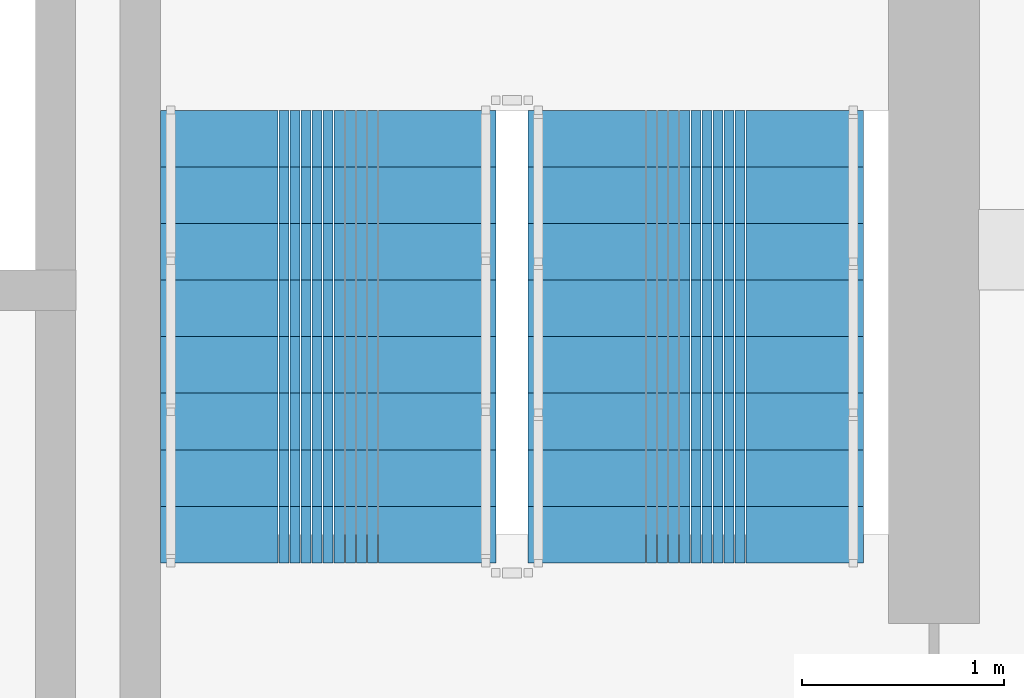
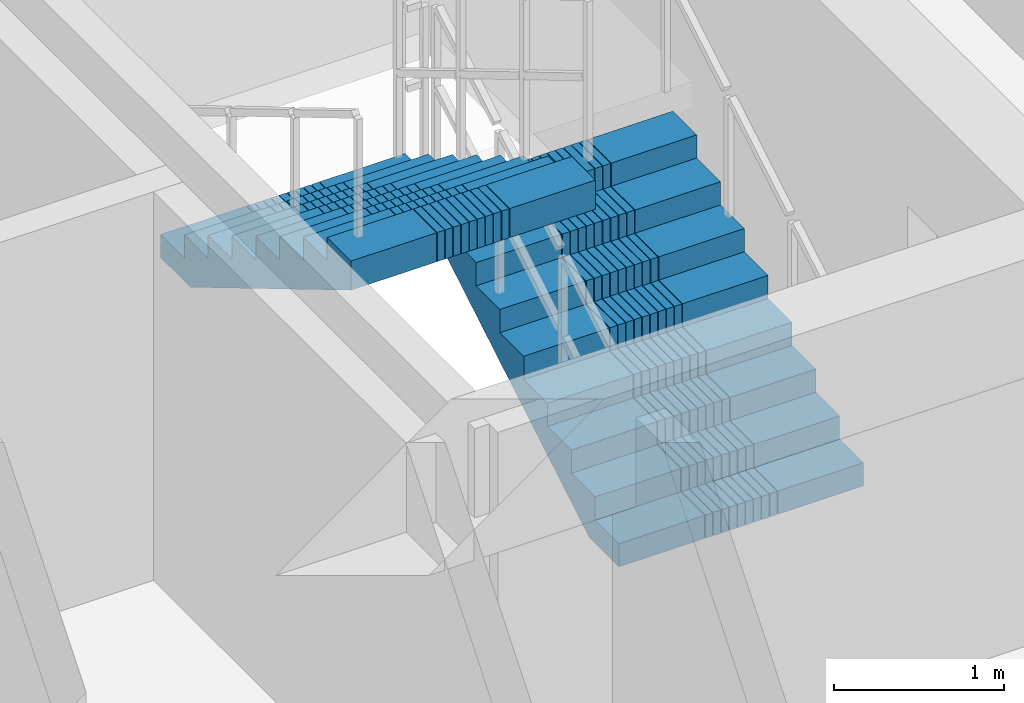
# One storey, part 8 of 13: 2 stair flights, 1 element without a shape of its own.
"""IFC4 building model written with IfcOpenShell, lengths in metres."""

from ifc_helpers import new_model, si_unit, direction, frame, origin, place, context, subcontext, project, spatial, polyline, outline, extrude, material, type_object, element, aggregate, save


model = new_model("IFC4")

# Units and contexts
model_context = context("Model", 3, precision=1e-05, world=origin(), true_north=direction((0.0, 1.0)))
body_context = subcontext(model_context, "Body", "Model", "MODEL_VIEW")
ifc_project = project(units=[si_unit("LENGTHUNIT", "METRE"), si_unit("AREAUNIT", "SQUARE_METRE"), si_unit("VOLUMEUNIT", "CUBIC_METRE"), si_unit("PLANEANGLEUNIT", "RADIAN"), si_unit("MASSUNIT", "GRAM", prefix="KILO")], contexts=[model_context])

# Site, building, storey
site_placement = place(None, origin())
site = spatial("IfcSite", under=ifc_project, at=site_placement, CompositionType="ELEMENT")
building_placement = place(site_placement, origin())
building = spatial("IfcBuilding", under=site, at=building_placement, Name="Saelheon Loggia Tower", CompositionType="ELEMENT")
storey_placement = place(building_placement, frame((0.0, 0.0, 220.199951171875)))
storey = spatial("IfcBuildingStorey", under=building, at=storey_placement, Name="L68", CompositionType="ELEMENT", Elevation=220.199951171875)

# Stair, stair flights
ifc_material = material(Name="Concrete C40/50", Category="concrete")
stair_type = type_object("IfcStairType", Name="Stair_Escape_Core", PredefinedType="HALF_TURN_STAIR", material=ifc_material)
stair_placement = place(storey_placement, origin())
stair = element("IfcStair", 1, at=stair_placement, inside=storey, type_object=stair_type, Name="L68 Special Escape Stair ST2", PredefinedType="HALF_TURN_STAIR")
stair_flight_type = type_object("IfcStairFlightType", Name="StairFlight_Tower_1660", PredefinedType="STRAIGHT", material=ifc_material)
stair_flight_1_placement = place(storey_placement, frame((43.320068359375, 30.449951171875, 0.0), z_axis=(0.0, 0.0, 1.0), x_axis=(0.0, 1.0, 0.0)))
stair_flight_1 = element("IfcStairFlight", 2, at=stair_flight_1_placement, type_object=stair_flight_type, Name="ST2 flight 1", NumberOfRisers=9, NumberOfTreads=8, PredefinedType="STRAIGHT", RiserHeight=0.166666667, TreadLength=0.28, context=body_context, shape_type="SweptSolid", body=[
    extrude(outline(polyline([(0.0, 0.0), (0.0, 0.166748046875), (0.280029296875, 0.166748046875), (0.280029296875, 0.333251953125), (0.56005859375, 0.333251953125), (0.56005859375, 0.5), (0.840087890625, 0.5), (0.840087890625, 0.666748046875), (1.1201171875, 0.666748046875), (1.1201171875, 0.833251953125), (1.39990234375, 0.833251953125), (1.39990234375, 1.0), (1.679931640625, 1.0), (1.679931640625, 1.166748046875), (1.9599609375, 1.166748046875), (1.9599609375, 1.333251953125), (2.239990234375, 1.333251953125), (2.239990234375, 1.5), (2.239990234375, 1.1240234375), (0.351806640625, 0.0), (0.0, 0.0)])), frame((0.0, -0.2490234375, 0.0), z_axis=(0.0, -1.0, 0.0), x_axis=(1.0, 0.0, 0.0)), (0.0, 0.0, 1.0), 0.5810546875),
    extrude(outline(polyline([(0.0, 0.0), (0.0, 0.166748046875), (0.280029296875, 0.166748046875), (0.280029296875, 0.333251953125), (0.56005859375, 0.333251953125), (0.56005859375, 0.5), (0.840087890625, 0.5), (0.840087890625, 0.666748046875), (1.1201171875, 0.666748046875), (1.1201171875, 0.833251953125), (1.39990234375, 0.833251953125), (1.39990234375, 1.0), (1.679931640625, 1.0), (1.679931640625, 1.166748046875), (1.9599609375, 1.166748046875), (1.9599609375, 1.333251953125), (2.239990234375, 1.333251953125), (2.239990234375, 1.5), (2.239990234375, 1.1240234375), (0.351806640625, 0.0), (0.0, 0.0)])), frame((0.0, -0.194091796875, 0.0), z_axis=(0.0, -1.0, 0.0), x_axis=(1.0, 0.0, 0.0)), (0.0, 0.0, 1.0), 0.0498046875),
    extrude(outline(polyline([(0.0, 0.0), (0.0, 0.166748046875), (0.280029296875, 0.166748046875), (0.280029296875, 0.333251953125), (0.56005859375, 0.333251953125), (0.56005859375, 0.5), (0.840087890625, 0.5), (0.840087890625, 0.666748046875), (1.1201171875, 0.666748046875), (1.1201171875, 0.833251953125), (1.39990234375, 0.833251953125), (1.39990234375, 1.0), (1.679931640625, 1.0), (1.679931640625, 1.166748046875), (1.9599609375, 1.166748046875), (1.9599609375, 1.333251953125), (2.239990234375, 1.333251953125), (2.239990234375, 1.5), (2.239990234375, 1.1240234375), (0.351806640625, 0.0), (0.0, 0.0)])), frame((0.0, -0.139404296875, 0.0), z_axis=(0.0, -1.0, 0.0), x_axis=(1.0, 0.0, 0.0)), (0.0, 0.0, 1.0), 0.0498046875),
    extrude(outline(polyline([(0.0, 0.0), (0.0, 0.166748046875), (0.280029296875, 0.166748046875), (0.280029296875, 0.333251953125), (0.56005859375, 0.333251953125), (0.56005859375, 0.5), (0.840087890625, 0.5), (0.840087890625, 0.666748046875), (1.1201171875, 0.666748046875), (1.1201171875, 0.833251953125), (1.39990234375, 0.833251953125), (1.39990234375, 1.0), (1.679931640625, 1.0), (1.679931640625, 1.166748046875), (1.9599609375, 1.166748046875), (1.9599609375, 1.333251953125), (2.239990234375, 1.333251953125), (2.239990234375, 1.5), (2.239990234375, 1.1240234375), (0.351806640625, 0.0), (0.0, 0.0)])), frame((0.0, -0.084716796875, 0.0), z_axis=(0.0, -1.0, 0.0), x_axis=(1.0, 0.0, 0.0)), (0.0, 0.0, 1.0), 0.0498046875),
    extrude(outline(polyline([(0.0, 0.0), (0.0, 0.166748046875), (0.280029296875, 0.166748046875), (0.280029296875, 0.333251953125), (0.56005859375, 0.333251953125), (0.56005859375, 0.5), (0.840087890625, 0.5), (0.840087890625, 0.666748046875), (1.1201171875, 0.666748046875), (1.1201171875, 0.833251953125), (1.39990234375, 0.833251953125), (1.39990234375, 1.0), (1.679931640625, 1.0), (1.679931640625, 1.166748046875), (1.9599609375, 1.166748046875), (1.9599609375, 1.333251953125), (2.239990234375, 1.333251953125), (2.239990234375, 1.5), (2.239990234375, 1.1240234375), (0.351806640625, 0.0), (0.0, 0.0)])), frame((0.0, -0.02978515625, 0.0), z_axis=(0.0, -1.0, 0.0), x_axis=(1.0, 0.0, 0.0)), (0.0, 0.0, 1.0), 0.0498046875),
    extrude(outline(polyline([(0.0, 0.0), (0.0, 0.166748046875), (0.280029296875, 0.166748046875), (0.280029296875, 0.333251953125), (0.56005859375, 0.333251953125), (0.56005859375, 0.5), (0.840087890625, 0.5), (0.840087890625, 0.666748046875), (1.1201171875, 0.666748046875), (1.1201171875, 0.833251953125), (1.39990234375, 0.833251953125), (1.39990234375, 1.0), (1.679931640625, 1.0), (1.679931640625, 1.166748046875), (1.9599609375, 1.166748046875), (1.9599609375, 1.333251953125), (2.239990234375, 1.333251953125), (2.239990234375, 1.5), (2.239990234375, 1.1240234375), (0.351806640625, 0.0), (0.0, 0.0)])), frame((0.0, 0.02490234375, 0.0), z_axis=(0.0, -1.0, 0.0), x_axis=(1.0, 0.0, 0.0)), (0.0, 0.0, 1.0), 0.0498046875),
    extrude(outline(polyline([(0.0, 0.0), (0.0, 0.166748046875), (0.280029296875, 0.166748046875), (0.280029296875, 0.333251953125), (0.56005859375, 0.333251953125), (0.56005859375, 0.5), (0.840087890625, 0.5), (0.840087890625, 0.666748046875), (1.1201171875, 0.666748046875), (1.1201171875, 0.833251953125), (1.39990234375, 0.833251953125), (1.39990234375, 1.0), (1.679931640625, 1.0), (1.679931640625, 1.166748046875), (1.9599609375, 1.166748046875), (1.9599609375, 1.333251953125), (2.239990234375, 1.333251953125), (2.239990234375, 1.5), (2.239990234375, 1.1240234375), (0.351806640625, 0.0), (0.0, 0.0)])), frame((0.0, 0.07958984375, 0.0), z_axis=(0.0, -1.0, 0.0), x_axis=(1.0, 0.0, 0.0)), (0.0, 0.0, 1.0), 0.0498046875),
    extrude(outline(polyline([(0.0, 0.0), (0.0, 0.166748046875), (0.280029296875, 0.166748046875), (0.280029296875, 0.333251953125), (0.56005859375, 0.333251953125), (0.56005859375, 0.5), (0.840087890625, 0.5), (0.840087890625, 0.666748046875), (1.1201171875, 0.666748046875), (1.1201171875, 0.833251953125), (1.39990234375, 0.833251953125), (1.39990234375, 1.0), (1.679931640625, 1.0), (1.679931640625, 1.166748046875), (1.9599609375, 1.166748046875), (1.9599609375, 1.333251953125), (2.239990234375, 1.333251953125), (2.239990234375, 1.5), (2.239990234375, 1.1240234375), (0.351806640625, 0.0), (0.0, 0.0)])), frame((0.0, 0.134521484375, 0.0), z_axis=(0.0, -1.0, 0.0), x_axis=(1.0, 0.0, 0.0)), (0.0, 0.0, 1.0), 0.0498046875),
    extrude(outline(polyline([(0.0, 0.0), (0.0, 0.166748046875), (0.280029296875, 0.166748046875), (0.280029296875, 0.333251953125), (0.56005859375, 0.333251953125), (0.56005859375, 0.5), (0.840087890625, 0.5), (0.840087890625, 0.666748046875), (1.1201171875, 0.666748046875), (1.1201171875, 0.833251953125), (1.39990234375, 0.833251953125), (1.39990234375, 1.0), (1.679931640625, 1.0), (1.679931640625, 1.166748046875), (1.9599609375, 1.166748046875), (1.9599609375, 1.333251953125), (2.239990234375, 1.333251953125), (2.239990234375, 1.5), (2.239990234375, 1.1240234375), (0.351806640625, 0.0), (0.0, 0.0)])), frame((0.0, 0.189208984375, 0.0), z_axis=(0.0, -1.0, 0.0), x_axis=(1.0, 0.0, 0.0)), (0.0, 0.0, 1.0), 0.0498046875),
    extrude(outline(polyline([(0.0, 0.0), (0.0, 0.166748046875), (0.280029296875, 0.166748046875), (0.280029296875, 0.333251953125), (0.56005859375, 0.333251953125), (0.56005859375, 0.5), (0.840087890625, 0.5), (0.840087890625, 0.666748046875), (1.1201171875, 0.666748046875), (1.1201171875, 0.833251953125), (1.39990234375, 0.833251953125), (1.39990234375, 1.0), (1.679931640625, 1.0), (1.679931640625, 1.166748046875), (1.9599609375, 1.166748046875), (1.9599609375, 1.333251953125), (2.239990234375, 1.333251953125), (2.239990234375, 1.5), (2.239990234375, 1.1240234375), (0.351806640625, 0.0), (0.0, 0.0)])), frame((0.0, 0.243896484375, 0.0), z_axis=(0.0, -1.0, 0.0), x_axis=(1.0, 0.0, 0.0)), (0.0, 0.0, 1.0), 0.0498046875),
    extrude(outline(polyline([(0.0, 0.0), (0.0, 0.166748046875), (0.280029296875, 0.166748046875), (0.280029296875, 0.333251953125), (0.56005859375, 0.333251953125), (0.56005859375, 0.5), (0.840087890625, 0.5), (0.840087890625, 0.666748046875), (1.1201171875, 0.666748046875), (1.1201171875, 0.833251953125), (1.39990234375, 0.833251953125), (1.39990234375, 1.0), (1.679931640625, 1.0), (1.679931640625, 1.166748046875), (1.9599609375, 1.166748046875), (1.9599609375, 1.333251953125), (2.239990234375, 1.333251953125), (2.239990234375, 1.5), (2.239990234375, 1.1240234375), (0.351806640625, 0.0), (0.0, 0.0)])), frame((0.0, 0.830078125, 0.0), z_axis=(0.0, -1.0, 0.0), x_axis=(1.0, 0.0, 0.0)), (0.0, 0.0, 1.0), 0.5810546875),
])
stair_flight_2_placement = place(storey_placement, frame((41.5, 32.68994140625, 1.5), z_axis=(0.0, 0.0, 1.0), x_axis=(0.0, -1.0, 0.0)))
stair_flight_2 = element("IfcStairFlight", 3, at=stair_flight_2_placement, type_object=stair_flight_type, Name="ST2 flight 2", NumberOfRisers=9, NumberOfTreads=8, PredefinedType="STRAIGHT", RiserHeight=0.166666667, TreadLength=0.28, context=body_context, shape_type="SweptSolid", body=[
    extrude(outline(polyline([(0.0, 0.0), (0.0, 0.166748046875), (0.280029296875, 0.166748046875), (0.280029296875, 0.333251953125), (0.56005859375, 0.333251953125), (0.56005859375, 0.5), (0.840087890625, 0.5), (0.840087890625, 0.666748046875), (1.1201171875, 0.666748046875), (1.1201171875, 0.833251953125), (1.39990234375, 0.833251953125), (1.39990234375, 1.0), (1.679931640625, 1.0), (1.679931640625, 1.166748046875), (1.9599609375, 1.166748046875), (1.9599609375, 1.333251953125), (2.239990234375, 1.333251953125), (2.239990234375, 1.5), (2.239990234375, 1.1240234375), (0.351806640625, 0.0), (0.0, 0.0)])), frame((0.0, -0.2490234375, 0.0), z_axis=(0.0, -1.0, 0.0), x_axis=(1.0, 0.0, 0.0)), (0.0, 0.0, 1.0), 0.5810546875),
    extrude(outline(polyline([(0.0, 0.0), (0.0, 0.166748046875), (0.280029296875, 0.166748046875), (0.280029296875, 0.333251953125), (0.56005859375, 0.333251953125), (0.56005859375, 0.5), (0.840087890625, 0.5), (0.840087890625, 0.666748046875), (1.1201171875, 0.666748046875), (1.1201171875, 0.833251953125), (1.39990234375, 0.833251953125), (1.39990234375, 1.0), (1.679931640625, 1.0), (1.679931640625, 1.166748046875), (1.9599609375, 1.166748046875), (1.9599609375, 1.333251953125), (2.239990234375, 1.333251953125), (2.239990234375, 1.5), (2.239990234375, 1.1240234375), (0.351806640625, 0.0), (0.0, 0.0)])), frame((0.0, -0.194091796875, 0.0), z_axis=(0.0, -1.0, 0.0), x_axis=(1.0, 0.0, 0.0)), (0.0, 0.0, 1.0), 0.0498046875),
    extrude(outline(polyline([(0.0, 0.0), (0.0, 0.166748046875), (0.280029296875, 0.166748046875), (0.280029296875, 0.333251953125), (0.56005859375, 0.333251953125), (0.56005859375, 0.5), (0.840087890625, 0.5), (0.840087890625, 0.666748046875), (1.1201171875, 0.666748046875), (1.1201171875, 0.833251953125), (1.39990234375, 0.833251953125), (1.39990234375, 1.0), (1.679931640625, 1.0), (1.679931640625, 1.166748046875), (1.9599609375, 1.166748046875), (1.9599609375, 1.333251953125), (2.239990234375, 1.333251953125), (2.239990234375, 1.5), (2.239990234375, 1.1240234375), (0.351806640625, 0.0), (0.0, 0.0)])), frame((0.0, -0.139404296875, 0.0), z_axis=(0.0, -1.0, 0.0), x_axis=(1.0, 0.0, 0.0)), (0.0, 0.0, 1.0), 0.0498046875),
    extrude(outline(polyline([(0.0, 0.0), (0.0, 0.166748046875), (0.280029296875, 0.166748046875), (0.280029296875, 0.333251953125), (0.56005859375, 0.333251953125), (0.56005859375, 0.5), (0.840087890625, 0.5), (0.840087890625, 0.666748046875), (1.1201171875, 0.666748046875), (1.1201171875, 0.833251953125), (1.39990234375, 0.833251953125), (1.39990234375, 1.0), (1.679931640625, 1.0), (1.679931640625, 1.166748046875), (1.9599609375, 1.166748046875), (1.9599609375, 1.333251953125), (2.239990234375, 1.333251953125), (2.239990234375, 1.5), (2.239990234375, 1.1240234375), (0.351806640625, 0.0), (0.0, 0.0)])), frame((0.0, -0.084716796875, 0.0), z_axis=(0.0, -1.0, 0.0), x_axis=(1.0, 0.0, 0.0)), (0.0, 0.0, 1.0), 0.0498046875),
    extrude(outline(polyline([(0.0, 0.0), (0.0, 0.166748046875), (0.280029296875, 0.166748046875), (0.280029296875, 0.333251953125), (0.56005859375, 0.333251953125), (0.56005859375, 0.5), (0.840087890625, 0.5), (0.840087890625, 0.666748046875), (1.1201171875, 0.666748046875), (1.1201171875, 0.833251953125), (1.39990234375, 0.833251953125), (1.39990234375, 1.0), (1.679931640625, 1.0), (1.679931640625, 1.166748046875), (1.9599609375, 1.166748046875), (1.9599609375, 1.333251953125), (2.239990234375, 1.333251953125), (2.239990234375, 1.5), (2.239990234375, 1.1240234375), (0.351806640625, 0.0), (0.0, 0.0)])), frame((0.0, -0.02978515625, 0.0), z_axis=(0.0, -1.0, 0.0), x_axis=(1.0, 0.0, 0.0)), (0.0, 0.0, 1.0), 0.0498046875),
    extrude(outline(polyline([(0.0, 0.0), (0.0, 0.166748046875), (0.280029296875, 0.166748046875), (0.280029296875, 0.333251953125), (0.56005859375, 0.333251953125), (0.56005859375, 0.5), (0.840087890625, 0.5), (0.840087890625, 0.666748046875), (1.1201171875, 0.666748046875), (1.1201171875, 0.833251953125), (1.39990234375, 0.833251953125), (1.39990234375, 1.0), (1.679931640625, 1.0), (1.679931640625, 1.166748046875), (1.9599609375, 1.166748046875), (1.9599609375, 1.333251953125), (2.239990234375, 1.333251953125), (2.239990234375, 1.5), (2.239990234375, 1.1240234375), (0.351806640625, 0.0), (0.0, 0.0)])), frame((0.0, 0.02490234375, 0.0), z_axis=(0.0, -1.0, 0.0), x_axis=(1.0, 0.0, 0.0)), (0.0, 0.0, 1.0), 0.0498046875),
    extrude(outline(polyline([(0.0, 0.0), (0.0, 0.166748046875), (0.280029296875, 0.166748046875), (0.280029296875, 0.333251953125), (0.56005859375, 0.333251953125), (0.56005859375, 0.5), (0.840087890625, 0.5), (0.840087890625, 0.666748046875), (1.1201171875, 0.666748046875), (1.1201171875, 0.833251953125), (1.39990234375, 0.833251953125), (1.39990234375, 1.0), (1.679931640625, 1.0), (1.679931640625, 1.166748046875), (1.9599609375, 1.166748046875), (1.9599609375, 1.333251953125), (2.239990234375, 1.333251953125), (2.239990234375, 1.5), (2.239990234375, 1.1240234375), (0.351806640625, 0.0), (0.0, 0.0)])), frame((0.0, 0.07958984375, 0.0), z_axis=(0.0, -1.0, 0.0), x_axis=(1.0, 0.0, 0.0)), (0.0, 0.0, 1.0), 0.0498046875),
    extrude(outline(polyline([(0.0, 0.0), (0.0, 0.166748046875), (0.280029296875, 0.166748046875), (0.280029296875, 0.333251953125), (0.56005859375, 0.333251953125), (0.56005859375, 0.5), (0.840087890625, 0.5), (0.840087890625, 0.666748046875), (1.1201171875, 0.666748046875), (1.1201171875, 0.833251953125), (1.39990234375, 0.833251953125), (1.39990234375, 1.0), (1.679931640625, 1.0), (1.679931640625, 1.166748046875), (1.9599609375, 1.166748046875), (1.9599609375, 1.333251953125), (2.239990234375, 1.333251953125), (2.239990234375, 1.5), (2.239990234375, 1.1240234375), (0.351806640625, 0.0), (0.0, 0.0)])), frame((0.0, 0.134521484375, 0.0), z_axis=(0.0, -1.0, 0.0), x_axis=(1.0, 0.0, 0.0)), (0.0, 0.0, 1.0), 0.0498046875),
    extrude(outline(polyline([(0.0, 0.0), (0.0, 0.166748046875), (0.280029296875, 0.166748046875), (0.280029296875, 0.333251953125), (0.56005859375, 0.333251953125), (0.56005859375, 0.5), (0.840087890625, 0.5), (0.840087890625, 0.666748046875), (1.1201171875, 0.666748046875), (1.1201171875, 0.833251953125), (1.39990234375, 0.833251953125), (1.39990234375, 1.0), (1.679931640625, 1.0), (1.679931640625, 1.166748046875), (1.9599609375, 1.166748046875), (1.9599609375, 1.333251953125), (2.239990234375, 1.333251953125), (2.239990234375, 1.5), (2.239990234375, 1.1240234375), (0.351806640625, 0.0), (0.0, 0.0)])), frame((0.0, 0.189208984375, 0.0), z_axis=(0.0, -1.0, 0.0), x_axis=(1.0, 0.0, 0.0)), (0.0, 0.0, 1.0), 0.0498046875),
    extrude(outline(polyline([(0.0, 0.0), (0.0, 0.166748046875), (0.280029296875, 0.166748046875), (0.280029296875, 0.333251953125), (0.56005859375, 0.333251953125), (0.56005859375, 0.5), (0.840087890625, 0.5), (0.840087890625, 0.666748046875), (1.1201171875, 0.666748046875), (1.1201171875, 0.833251953125), (1.39990234375, 0.833251953125), (1.39990234375, 1.0), (1.679931640625, 1.0), (1.679931640625, 1.166748046875), (1.9599609375, 1.166748046875), (1.9599609375, 1.333251953125), (2.239990234375, 1.333251953125), (2.239990234375, 1.5), (2.239990234375, 1.1240234375), (0.351806640625, 0.0), (0.0, 0.0)])), frame((0.0, 0.243896484375, 0.0), z_axis=(0.0, -1.0, 0.0), x_axis=(1.0, 0.0, 0.0)), (0.0, 0.0, 1.0), 0.0498046875),
    extrude(outline(polyline([(0.0, 0.0), (0.0, 0.166748046875), (0.280029296875, 0.166748046875), (0.280029296875, 0.333251953125), (0.56005859375, 0.333251953125), (0.56005859375, 0.5), (0.840087890625, 0.5), (0.840087890625, 0.666748046875), (1.1201171875, 0.666748046875), (1.1201171875, 0.833251953125), (1.39990234375, 0.833251953125), (1.39990234375, 1.0), (1.679931640625, 1.0), (1.679931640625, 1.166748046875), (1.9599609375, 1.166748046875), (1.9599609375, 1.333251953125), (2.239990234375, 1.333251953125), (2.239990234375, 1.5), (2.239990234375, 1.1240234375), (0.351806640625, 0.0), (0.0, 0.0)])), frame((0.0, 0.830078125, 0.0), z_axis=(0.0, -1.0, 0.0), x_axis=(1.0, 0.0, 0.0)), (0.0, 0.0, 1.0), 0.5810546875),
])
aggregate(stair, [stair_flight_1, stair_flight_2])

save(model, "model.ifc")
